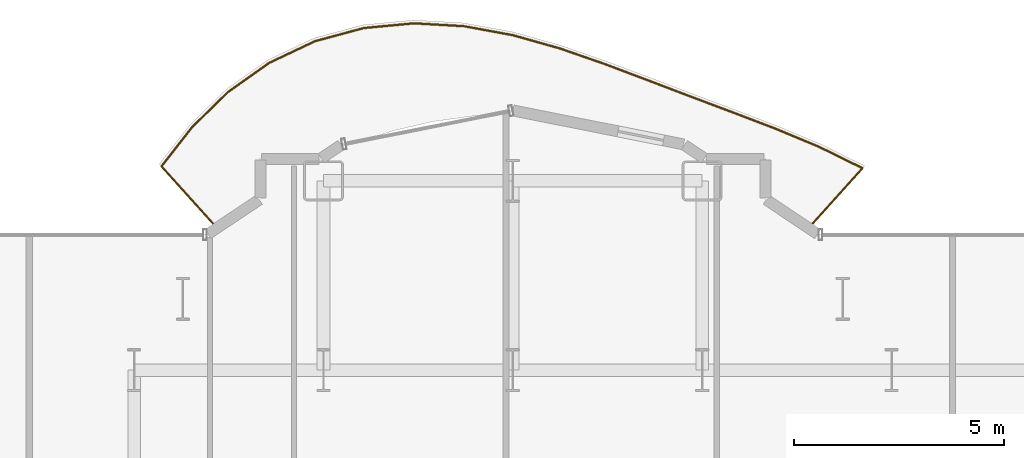
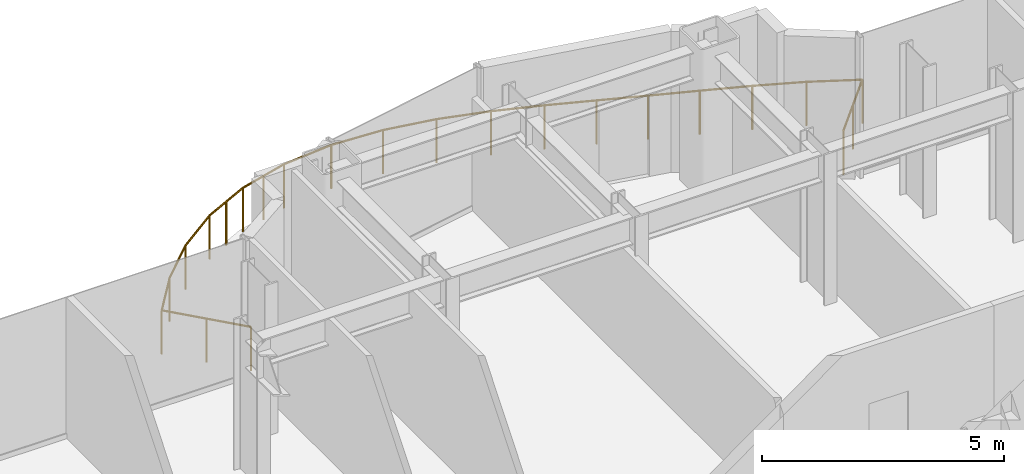
# One storey, part 29 of 29: 1 railing.
"""IFC4 building model written with IfcOpenShell, lengths in metres."""

import ifcopenshell
import ifcopenshell.guid

model = None  # the IFC model being written
_history = None  # IfcOwnerHistory: only IFC2X3 demands one
_inside = {}  # id of a spatial element -> (the spatial element, [elements in it])
_under = {}  # id of a project, library or spatial element -> (it, [spatial elements below it])
_declared = {}  # id of a project -> (the project, [libraries it declares])
_typed = {}  # id of a type object -> (the type object, [elements of that type])
_made_of = {}  # id of a material, layer set ... -> (it, [elements and type objects made of it])


def new_model(schema):
    """Start an empty IFC model of exactly this schema.

    Asked for "IFC4X3", IfcOpenShell would pick the latest addendum, in which some entities
    have other attributes; the version numbers below select the first issue.
    IFC2X3 requires an IfcOwnerHistory on every rooted entity: one is made here for all.
    """
    global model, _history
    if schema == "IFC4X3":
        model = ifcopenshell.file(schema_version=(4, 3, 0, 0))
    else:
        model = ifcopenshell.file(schema=schema)
    _inside.clear()
    _under.clear()
    _declared.clear()
    _typed.clear()
    _made_of.clear()
    _history = None
    if model.schema == "IFC2X3":
        org = make("IfcOrganization", Name="unknown")
        user = make(
            "IfcPersonAndOrganization",
            ThePerson=make("IfcPerson", FamilyName="unknown"),
            TheOrganization=org,
        )
        app = make(
            "IfcApplication",
            ApplicationDeveloper=org,
            Version="unknown",
            ApplicationFullName="unknown",
            ApplicationIdentifier="unknown",
        )
        _history = make(
            "IfcOwnerHistory",
            OwningUser=user,
            OwningApplication=app,
            ChangeAction="ADDED",
            CreationDate=0,
        )
    return model


def make(cls, **values):
    """One entity of the class cls with the attributes given. An attribute that is None is left unset."""
    return model.create_entity(
        cls, **{name: value for name, value in values.items() if value is not None}
    )


def rooted(cls, **values):
    """An entity with a GlobalId (a new one), such as an element, a storey or a relation."""
    return make(cls, GlobalId=ifcopenshell.guid.new(), OwnerHistory=_history, **values)


def si_unit(unit_type, name, prefix=None):
    """IfcSIUnit, for example si_unit("LENGTHUNIT", "METRE", prefix="MILLI")."""
    return make("IfcSIUnit", UnitType=unit_type, Prefix=prefix, Name=name)


def assignment(units):
    """IfcUnitAssignment: the units of a project."""
    return None if units is None else make("IfcUnitAssignment", Units=units)


def point(xyz):
    """IfcCartesianPoint."""
    return None if xyz is None else make("IfcCartesianPoint", Coordinates=xyz)


def direction(xyz):
    """IfcDirection."""
    return None if xyz is None else make("IfcDirection", DirectionRatios=xyz)


def frame(location, z_axis=None, x_axis=None):
    """IfcAxis2Placement3D, a coordinate frame: its origin and axes. An axis left out is left unset."""
    return make(
        "IfcAxis2Placement3D",
        Location=point(location),
        Axis=direction(z_axis),
        RefDirection=direction(x_axis),
    )


def frame_2d(location, x_axis=None):
    """IfcAxis2Placement2D, a coordinate frame in the plane: its origin and x axis."""
    return make(
        "IfcAxis2Placement2D", Location=point(location), RefDirection=direction(x_axis)
    )


def origin():
    """The frame at (0, 0, 0) with its axes left unset."""
    return frame((0.0, 0.0, 0.0))


def origin_2d():
    """The frame at (0, 0) in the plane with its x axis left unset."""
    return frame_2d((0.0, 0.0))


def place(relative_to, where):
    """IfcLocalPlacement: puts the frame where relative to a parent placement (None: the world)."""
    return make(
        "IfcLocalPlacement", PlacementRelTo=relative_to, RelativePlacement=where
    )


def context(
    kind, dimensions, precision=None, world=None, true_north=None, identifier=None
):
    """IfcGeometricRepresentationContext, for example the 3D "Model" context."""
    return make(
        "IfcGeometricRepresentationContext",
        ContextIdentifier=identifier,
        ContextType=kind,
        CoordinateSpaceDimension=dimensions,
        Precision=precision,
        WorldCoordinateSystem=world,
        TrueNorth=true_north,
    )


def subcontext(parent, identifier, kind, view, scale=None):
    """IfcGeometricRepresentationSubContext, for example "Body" below "Model"."""
    return make(
        "IfcGeometricRepresentationSubContext",
        ContextIdentifier=identifier,
        ContextType=kind,
        ParentContext=parent,
        TargetScale=scale,
        TargetView=view,
    )


def project(units=None, contexts=None):
    """IfcProject with its units and contexts."""
    return rooted(
        "IfcProject",
        Name="project",
        RepresentationContexts=contexts,
        UnitsInContext=assignment(units),
    )


def spatial(cls, under=None, at=None, **own):
    """A site, building, storey or space (cls), placed at a placement, below another one or the project."""
    s = rooted(cls, ObjectPlacement=at, **own)
    if under is not None:
        _under.setdefault(under.id(), (under, []))[1].append(s)
    return s


def profile(cls, at=None, kind="AREA", **sizes):
    """A parametric profile (cls). Its sizes go by their IFC names, for example OverallWidth=200.0."""
    return make(cls, ProfileType=kind, Position=at, **sizes)


def circle(**sizes):
    """IfcCircleProfileDef."""
    return profile("IfcCircleProfileDef", **sizes)


def extrude(swept, where, along, depth):
    """IfcExtrudedAreaSolid: the profile swept, set in the frame where, extruded along a direction by depth."""
    return make(
        "IfcExtrudedAreaSolid",
        SweptArea=swept,
        Position=where,
        ExtrudedDirection=direction(along),
        Depth=depth,
    )


def shape(context_of_items, identifier, shape_type, items):
    """IfcShapeRepresentation: the items that make up one representation, for example the "Body"."""
    return make(
        "IfcShapeRepresentation",
        ContextOfItems=context_of_items,
        RepresentationIdentifier=identifier,
        RepresentationType=shape_type,
        Items=items,
    )


def material(Name=None, Category=None):
    """IfcMaterial."""
    return make("IfcMaterial", Name=Name, Category=Category)


def made_of(thing, what):
    """Note that an element or type object is made of a material, layer set ...; save() writes the relation."""
    if what is not None:
        _made_of.setdefault(what.id(), (what, []))[1].append(thing)
    return thing


def type_object(cls, material=None, **own):
    """A type object (cls), such as IfcWallType, which elements share."""
    return made_of(rooted(cls, **own), material)


def element(
    cls,
    number,
    at=None,
    inside=None,
    cuts=None,
    type_object=None,
    material=None,
    context=None,
    identifier="Body",
    shape_type=None,
    held_by="IfcProductDefinitionShape",
    body=None,
    shapes=None,
    **own,
):
    """One element of the class cls, such as IfcWall. Its Tag is "e" and its number.

    at: its placement. inside: the storey or other place that contains it. cuts: it is an
    opening in that element (IfcRelVoidsElement). A single representation is given by context,
    identifier, shape_type and body (its items); several are given by shapes. held_by: the class
    of the entity that holds the representations. save() writes the other relations.
    """
    e = rooted(cls, Tag="e%d" % number, ObjectPlacement=at, **own)
    if body is not None:
        shapes = [shape(context, identifier, shape_type, body)]
    if shapes is not None:
        e.Representation = make(held_by, Representations=shapes)
    if inside is not None:
        _inside.setdefault(inside.id(), (inside, []))[1].append(e)
    if cuts is not None:
        rooted(
            "IfcRelVoidsElement", RelatingBuildingElement=cuts, RelatedOpeningElement=e
        )
    if type_object is not None:
        _typed.setdefault(type_object.id(), (type_object, []))[1].append(e)
    return made_of(e, material)


def aggregate(whole, parts):
    """IfcRelAggregates: a whole, such as a stair, and the parts it consists of."""
    return rooted("IfcRelAggregates", RelatingObject=whole, RelatedObjects=parts)


def save(model, path):
    """Write the relations noted so far, then the file.

    IfcRelAggregates (storeys below a building ...), IfcRelContainedInSpatialStructure (elements
    in a storey), IfcRelDefinesByType, IfcRelAssociatesMaterial and IfcRelDeclares: one each for
    every whole, place, type object, material and project.
    """
    for whole, parts in _under.values():
        aggregate(whole, parts)
    for where, things in _inside.values():
        rooted(
            "IfcRelContainedInSpatialStructure",
            RelatedElements=things,
            RelatingStructure=where,
        )
    for kind, things in _typed.values():
        rooted("IfcRelDefinesByType", RelatedObjects=things, RelatingType=kind)
    for what, things in _made_of.values():
        rooted("IfcRelAssociatesMaterial", RelatedObjects=things, RelatingMaterial=what)
    for by, libraries in _declared.values():
        rooted("IfcRelDeclares", RelatingContext=by, RelatedDefinitions=libraries)
    model.write(path)


model = new_model("IFC4")

# Units and contexts
model_context = context("Model", 3, precision=1e-05, world=origin(), true_north=direction((0.0, 1.0)))
body_context = subcontext(model_context, "Body", "Model", "MODEL_VIEW")
ifc_project = project(units=[si_unit("LENGTHUNIT", "METRE"), si_unit("AREAUNIT", "SQUARE_METRE"), si_unit("VOLUMEUNIT", "CUBIC_METRE"), si_unit("PLANEANGLEUNIT", "RADIAN"), si_unit("MASSUNIT", "GRAM", prefix="KILO")], contexts=[model_context])

# Site, building, storey
site_placement = place(None, origin())
site = spatial("IfcSite", under=ifc_project, at=site_placement, CompositionType="ELEMENT")
building_placement = place(site_placement, origin())
building = spatial("IfcBuilding", under=site, at=building_placement, Name="Nefas-Gora Pilgrimage Tower", CompositionType="ELEMENT")
storey_placement = place(building_placement, frame((0.0, 0.0, 90.800048828125)))
storey = spatial("IfcBuildingStorey", under=building, at=storey_placement, Name="L21", CompositionType="ELEMENT", Elevation=90.800048828125)

# Railing
ifc_material = material(Name="Laminated safety glass and stainless steel", Category="steel")
railing_type = type_object("IfcRailingType", Name="RLG-BAL-1100", PredefinedType="BALUSTRADE", material=ifc_material)
railing_placement = place(storey_placement, frame((4.802490234375, 21.402587890625, 0.0)))
element("IfcRailing", 1, at=railing_placement, inside=storey, type_object=railing_type, Name="L21 Wave Balcony Balustrade N1", PredefinedType="BALUSTRADE", context=body_context, shape_type="SweptSolid", body=[
    extrude(circle(Radius=0.02392578125, at=origin_2d()), frame((0.0, 0.0, 1.09619140625), z_axis=(0.669129721026, 0.743145622634, 0.0), x_axis=(-0.743145622634, 0.669129721026, 0.0)), (0.0, 0.0, 1.0), 1.880126953125),
    extrude(circle(Radius=0.02392578125, at=origin_2d()), frame((1.258056640625, 1.397216796875, 1.09619140625), z_axis=(-0.897530866126, 0.440951634934, 0.0), x_axis=(-0.440951634934, -0.897530866126, 0.0)), (0.0, 0.0, 1.0), 1.156005859375),
    extrude(circle(Radius=0.02392578125, at=origin_2d()), frame((0.220458984375, 1.906982421875, 1.09619140625), z_axis=(-0.923243625246, 0.38421505494, 0.0), x_axis=(-0.38421505494, -0.923243625246, 0.0)), (0.0, 0.0, 1.0), 1.1259765625),
    extrude(circle(Radius=0.02392578125, at=origin_2d()), frame((-0.819091796875, 2.339599609375, 1.09619140625), z_axis=(-0.934374803471, 0.356291631447, 0.0), x_axis=(-0.356291631447, -0.934374803471, 0.0)), (0.0, 0.0, 1.0), 1.096435546875),
    extrude(circle(Radius=0.02392578125, at=origin_2d()), frame((-1.843505859375, 2.730224609375, 1.09619140625), z_axis=(-0.936142832811, 0.351619960436, 0.0), x_axis=(-0.351619960436, -0.936142832811, 0.0)), (0.0, 0.0, 1.0), 1.07763671875),
    extrude(circle(Radius=0.02392578125, at=origin_2d()), frame((-2.852294921875, 3.109130859375, 1.09619140625), z_axis=(-0.934584678215, 0.355740747239, 0.0), x_axis=(-0.355740747239, -0.934584678215, 0.0)), (0.0, 0.0, 1.0), 1.076904296875),
    extrude(circle(Radius=0.02392578125, at=origin_2d()), frame((-3.858642578125, 3.4921875, 1.09619140625), z_axis=(-0.935740767911, 0.352688552791, 0.0), x_axis=(-0.352688552791, -0.935740767911, 0.0)), (0.0, 0.0, 1.0), 1.09375),
    extrude(circle(Radius=0.02392578125, at=origin_2d()), frame((-4.882080078125, 3.8779296875, 1.09619140625), z_axis=(-0.944898112614, 0.327364562496, 0.0), x_axis=(-0.327364562496, -0.944898112614, 0.0)), (0.0, 0.0, 1.0), 1.122314453125),
    extrude(circle(Radius=0.02392578125, at=origin_2d()), frame((-5.942626953125, 4.245361328125, 1.09619140625), z_axis=(-0.96246102168, 0.271419936162, 0.0), x_axis=(-0.271419936162, -0.96246102168, 0.0)), (0.0, 0.0, 1.0), 1.153076171875),
    extrude(circle(Radius=0.02392578125, at=origin_2d()), frame((-7.052490234375, 4.558349609375, 1.09619140625), z_axis=(-0.983449300548, 0.181183534713, 0.0), x_axis=(-0.181183534713, -0.983449300548, 0.0)), (0.0, 0.0, 1.0), 1.177734375),
    extrude(circle(Radius=0.02392578125, at=origin_2d()), frame((-8.210693359375, 4.771728515625, 1.09619140625), z_axis=(-0.998344239726, 0.057521987157, 0.0), x_axis=(-0.057521987157, -0.998344239726, 0.0)), (0.0, 0.0, 1.0), 1.192626953125),
    extrude(circle(Radius=0.02392578125, at=origin_2d()), frame((-9.4013671875, 4.84033203125, 1.09619140625), z_axis=(-0.995583812975, -0.093876894617, 0.0), x_axis=(0.093876894617, -0.995583812975, 0.0)), (0.0, 0.0, 1.0), 1.198974609375),
    extrude(circle(Radius=0.02392578125, at=origin_2d()), frame((-10.594970703125, 4.727783203125, 1.09619140625), z_axis=(-0.965413215034, -0.260724613793, 0.0), x_axis=(0.260724613793, -0.965413215034, 0.0)), (0.0, 0.0, 1.0), 1.200439453125),
    extrude(circle(Radius=0.02392578125, at=origin_2d()), frame((-11.75390625, 4.414794921875, 1.09619140625), z_axis=(-0.904015108166, -0.427500507844, 0.0), x_axis=(0.427500507844, -0.904015108166, 0.0)), (0.0, 0.0, 1.0), 1.200439453125),
    extrude(circle(Radius=0.02392578125, at=origin_2d()), frame((-12.839111328125, 3.901611328125, 1.09619140625), z_axis=(-0.816392240184, -0.577497801007, 0.0), x_axis=(0.577497801007, -0.816392240184, 0.0)), (0.0, 0.0, 1.0), 1.19970703125),
    extrude(circle(Radius=0.02392578125, at=origin_2d()), frame((-13.818603515625, 3.208740234375, 1.09619140625), z_axis=(-0.715228965311, -0.698890211106, 0.0), x_axis=(0.698890211106, -0.715228965311, 0.0)), (0.0, 0.0, 1.0), 1.1953125),
    extrude(circle(Radius=0.02392578125, at=origin_2d()), frame((-14.673583984375, 2.373291015625, 1.09619140625), z_axis=(-0.615495930297, -0.78814006356, 0.0), x_axis=(0.78814006356, -0.615495930297, 0.0)), (0.0, 0.0, 1.0), 1.18359375),
    extrude(circle(Radius=0.02392578125, at=origin_2d()), frame((-15.402099609375, 1.4404296875, 1.09619140625), z_axis=(0.669173462492, -0.743106235404, 0.0), x_axis=(0.743106235404, 0.669173462492, 0.0)), (0.0, 0.0, 1.0), 1.9384765625),
    extrude(circle(Radius=0.02099609375, at=origin_2d()), origin(), (0.0, 0.0, 1.0), 1.072021484375),
    extrude(circle(Radius=0.02099609375, at=origin_2d()), frame((0.62890625, 0.69873046875, 0.0)), (0.0, 0.0, 1.0), 1.072021484375),
    extrude(circle(Radius=0.02099609375, at=origin_2d()), frame((1.258056640625, 1.397216796875, 0.0)), (0.0, 0.0, 1.0), 1.072021484375),
    extrude(circle(Radius=0.02099609375, at=origin_2d()), frame((0.220458984375, 1.906982421875, 0.0)), (0.0, 0.0, 1.0), 1.072021484375),
    extrude(circle(Radius=0.02099609375, at=origin_2d()), frame((-0.819091796875, 2.339599609375, 0.0)), (0.0, 0.0, 1.0), 1.072021484375),
    extrude(circle(Radius=0.02099609375, at=origin_2d()), frame((-1.843505859375, 2.730224609375, 0.0)), (0.0, 0.0, 1.0), 1.072021484375),
    extrude(circle(Radius=0.02099609375, at=origin_2d()), frame((-2.852294921875, 3.109130859375, 0.0)), (0.0, 0.0, 1.0), 1.072021484375),
    extrude(circle(Radius=0.02099609375, at=origin_2d()), frame((-3.858642578125, 3.4921875, 0.0)), (0.0, 0.0, 1.0), 1.072021484375),
    extrude(circle(Radius=0.02099609375, at=origin_2d()), frame((-4.882080078125, 3.8779296875, 0.0)), (0.0, 0.0, 1.0), 1.072021484375),
    extrude(circle(Radius=0.02099609375, at=origin_2d()), frame((-5.942626953125, 4.245361328125, 0.0)), (0.0, 0.0, 1.0), 1.072021484375),
    extrude(circle(Radius=0.02099609375, at=origin_2d()), frame((-7.052490234375, 4.558349609375, 0.0)), (0.0, 0.0, 1.0), 1.072021484375),
    extrude(circle(Radius=0.02099609375, at=origin_2d()), frame((-8.210693359375, 4.771728515625, 0.0)), (0.0, 0.0, 1.0), 1.072021484375),
    extrude(circle(Radius=0.02099609375, at=origin_2d()), frame((-9.4013671875, 4.84033203125, 0.0)), (0.0, 0.0, 1.0), 1.072021484375),
    extrude(circle(Radius=0.02099609375, at=origin_2d()), frame((-10.594970703125, 4.727783203125, 0.0)), (0.0, 0.0, 1.0), 1.072021484375),
    extrude(circle(Radius=0.02099609375, at=origin_2d()), frame((-11.17431640625, 4.5712890625, 0.0)), (0.0, 0.0, 1.0), 1.072021484375),
    extrude(circle(Radius=0.02099609375, at=origin_2d()), frame((-11.75390625, 4.414794921875, 0.0)), (0.0, 0.0, 1.0), 1.072021484375),
    extrude(circle(Radius=0.02099609375, at=origin_2d()), frame((-12.29638671875, 4.158203125, 0.0)), (0.0, 0.0, 1.0), 1.072021484375),
    extrude(circle(Radius=0.02099609375, at=origin_2d()), frame((-12.839111328125, 3.901611328125, 0.0)), (0.0, 0.0, 1.0), 1.072021484375),
    extrude(circle(Radius=0.02099609375, at=origin_2d()), frame((-13.818603515625, 3.208740234375, 0.0)), (0.0, 0.0, 1.0), 1.072021484375),
    extrude(circle(Radius=0.02099609375, at=origin_2d()), frame((-14.673583984375, 2.373291015625, 0.0)), (0.0, 0.0, 1.0), 1.072021484375),
    extrude(circle(Radius=0.02099609375, at=origin_2d()), frame((-15.402099609375, 1.4404296875, 0.0)), (0.0, 0.0, 1.0), 1.072021484375),
    extrude(circle(Radius=0.02099609375, at=origin_2d()), frame((-14.75341796875, 0.72021484375, 0.0)), (0.0, 0.0, 1.0), 1.072021484375),
    extrude(circle(Radius=0.02099609375, at=origin_2d()), frame((-14.10498046875, 0.0, 0.0)), (0.0, 0.0, 1.0), 1.072021484375),
])

save(model, "model.ifc")
